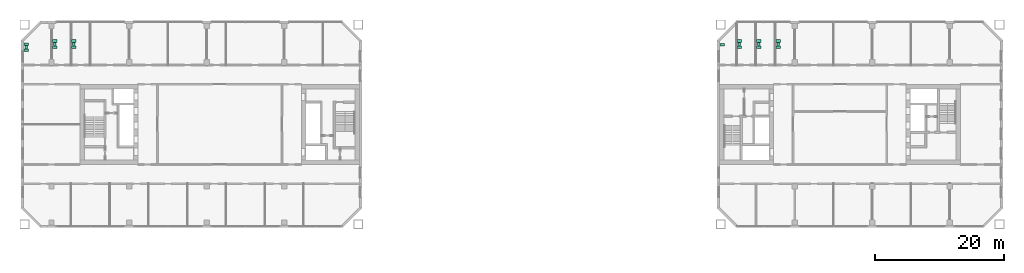
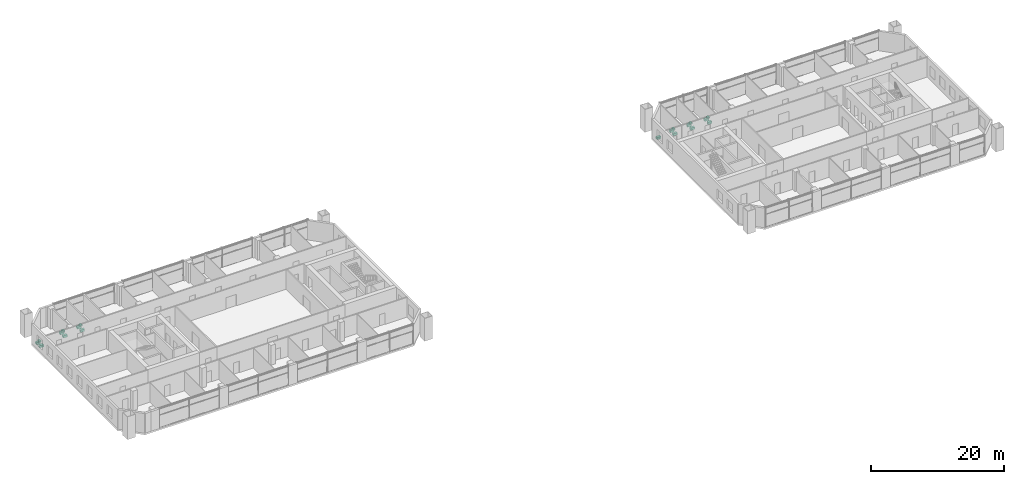
# One storey, part 19 of 19: 19 sanitary terminals.
"""IFC4 building model written with IfcOpenShell, lengths in metres."""

from ifc_helpers import new_model, si_unit, direction, frame, origin, origin_2d, place, context, subcontext, project, spatial, rectangle, extrude, element, save


model = new_model("IFC4")

# Units and contexts
model_context = context("Model", 3, precision=1e-05, world=origin(), true_north=direction((0.0, 1.0)))
body_context = subcontext(model_context, "Body", "Model", "MODEL_VIEW")
ifc_project = project(units=[si_unit("LENGTHUNIT", "METRE"), si_unit("AREAUNIT", "SQUARE_METRE"), si_unit("VOLUMEUNIT", "CUBIC_METRE"), si_unit("PLANEANGLEUNIT", "RADIAN"), si_unit("MASSUNIT", "GRAM", prefix="KILO")], contexts=[model_context])

# Site, building, storey
site_placement = place(None, origin())
site = spatial("IfcSite", under=ifc_project, at=site_placement, CompositionType="ELEMENT")
building_placement = place(site_placement, origin())
building = spatial("IfcBuilding", under=site, at=building_placement, Name="Tuart Gate Housing", CompositionType="ELEMENT")
storey_placement = place(building_placement, frame((0.0, 0.0, 67.39990234375)))
storey = spatial("IfcBuildingStorey", under=building, at=storey_placement, Name="L18", CompositionType="ELEMENT", Elevation=67.39990234375)

# Sanitary terminals
for number, where, z_axis, x_axis, name in (
    (1, (24.06005859375, 81.469970703125, 0.000244140625), (0.0, 0.0, 1.0), (1.0, 0.0, 0.0), "Water closet"),
    (2, (24.06005859375, 82.419921875, 0.000244140625), (0.0, 0.0, 1.0), (1.0, 0.0, 0.0), "Water closet"),
):
    element("IfcSanitaryTerminal", number, at=place(storey_placement, frame(where, z_axis=z_axis, x_axis=x_axis)), inside=storey, Name=name, PredefinedType="TOILETPAN", context=body_context, shape_type="SweptSolid", body=[
        extrude(rectangle(XDim=0.699951171875, YDim=0.39990234375, at=origin_2d()), origin(), (0.0, 0.0, 1.0), 0.39990234375),
    ])
sanitary_terminal_1_placement = place(storey_placement, frame((24.06005859375, 81.945068359375, 0.75), z_axis=(0.0, 0.0, 1.0), x_axis=(1.0, 0.0, 0.0)))
element("IfcSanitaryTerminal", 3, at=sanitary_terminal_1_placement, inside=storey, Name="Wash basin", PredefinedType="WASHHANDBASIN", context=body_context, shape_type="SweptSolid", body=[
    extrude(rectangle(XDim=0.39990234375, YDim=0.5, at=origin_2d()), origin(), (0.0, 0.0, 1.0), 0.199951171875),
])
for number, where, z_axis, x_axis, name in (
    (4, (28.449951171875, 81.945068359375, 0.000244140625), (0.0, 0.0, 1.0), (1.0, 0.0, 0.0), "Water closet"),
    (5, (28.449951171875, 82.89501953125, 0.000244140625), (0.0, 0.0, 1.0), (1.0, 0.0, 0.0), "Water closet"),
):
    element("IfcSanitaryTerminal", number, at=place(storey_placement, frame(where, z_axis=z_axis, x_axis=x_axis)), inside=storey, Name=name, PredefinedType="TOILETPAN", context=body_context, shape_type="SweptSolid", body=[
        extrude(rectangle(XDim=0.699951171875, YDim=0.39990234375, at=origin_2d()), origin(), (0.0, 0.0, 1.0), 0.39990234375),
    ])
sanitary_terminal_2_placement = place(storey_placement, frame((28.449951171875, 82.419921875, 0.75), z_axis=(0.0, 0.0, 1.0), x_axis=(1.0, 0.0, 0.0)))
element("IfcSanitaryTerminal", 6, at=sanitary_terminal_2_placement, inside=storey, Name="Wash basin", PredefinedType="WASHHANDBASIN", context=body_context, shape_type="SweptSolid", body=[
    extrude(rectangle(XDim=0.39990234375, YDim=0.5, at=origin_2d()), origin(), (0.0, 0.0, 1.0), 0.199951171875),
])
for number, where, z_axis, x_axis, name in (
    (7, (31.449951171875, 81.945068359375, 0.000244140625), (0.0, 0.0, 1.0), (1.0, 0.0, 0.0), "Water closet"),
    (8, (31.449951171875, 82.89501953125, 0.000244140625), (0.0, 0.0, 1.0), (1.0, 0.0, 0.0), "Water closet"),
):
    element("IfcSanitaryTerminal", number, at=place(storey_placement, frame(where, z_axis=z_axis, x_axis=x_axis)), inside=storey, Name=name, PredefinedType="TOILETPAN", context=body_context, shape_type="SweptSolid", body=[
        extrude(rectangle(XDim=0.699951171875, YDim=0.39990234375, at=origin_2d()), origin(), (0.0, 0.0, 1.0), 0.39990234375),
    ])
sanitary_terminal_3_placement = place(storey_placement, frame((31.449951171875, 82.419921875, 0.75), z_axis=(0.0, 0.0, 1.0), x_axis=(1.0, 0.0, 0.0)))
element("IfcSanitaryTerminal", 9, at=sanitary_terminal_3_placement, inside=storey, Name="Wash basin", PredefinedType="WASHHANDBASIN", context=body_context, shape_type="SweptSolid", body=[
    extrude(rectangle(XDim=0.39990234375, YDim=0.5, at=origin_2d()), origin(), (0.0, 0.0, 1.0), 0.199951171875),
])
for number, where, z_axis, x_axis, name in (
    (10, (131.81005859375, 82.345947265625, 0.000244140625), (0.0, 0.0, 1.0), (1.0, 0.0, 0.0), "Water closet"),
    (11, (134.449951171875, 81.945068359375, 0.000244140625), (0.0, 0.0, 1.0), (1.0, 0.0, 0.0), "Water closet"),
    (12, (134.449951171875, 82.89501953125, 0.000244140625), (0.0, 0.0, 1.0), (1.0, 0.0, 0.0), "Water closet"),
):
    element("IfcSanitaryTerminal", number, at=place(storey_placement, frame(where, z_axis=z_axis, x_axis=x_axis)), inside=storey, Name=name, PredefinedType="TOILETPAN", context=body_context, shape_type="SweptSolid", body=[
        extrude(rectangle(XDim=0.699951171875, YDim=0.39990234375, at=origin_2d()), origin(), (0.0, 0.0, 1.0), 0.39990234375),
    ])
sanitary_terminal_4_placement = place(storey_placement, frame((134.449951171875, 82.419921875, 0.75), z_axis=(0.0, 0.0, 1.0), x_axis=(1.0, 0.0, 0.0)))
element("IfcSanitaryTerminal", 13, at=sanitary_terminal_4_placement, inside=storey, Name="Wash basin", PredefinedType="WASHHANDBASIN", context=body_context, shape_type="SweptSolid", body=[
    extrude(rectangle(XDim=0.39990234375, YDim=0.5, at=origin_2d()), origin(), (0.0, 0.0, 1.0), 0.199951171875),
])
for number, where, z_axis, x_axis, name in (
    (14, (137.449951171875, 81.945068359375, 0.000244140625), (0.0, 0.0, 1.0), (1.0, 0.0, 0.0), "Water closet"),
    (15, (137.449951171875, 82.89501953125, 0.000244140625), (0.0, 0.0, 1.0), (1.0, 0.0, 0.0), "Water closet"),
):
    element("IfcSanitaryTerminal", number, at=place(storey_placement, frame(where, z_axis=z_axis, x_axis=x_axis)), inside=storey, Name=name, PredefinedType="TOILETPAN", context=body_context, shape_type="SweptSolid", body=[
        extrude(rectangle(XDim=0.699951171875, YDim=0.39990234375, at=origin_2d()), origin(), (0.0, 0.0, 1.0), 0.39990234375),
    ])
sanitary_terminal_5_placement = place(storey_placement, frame((137.449951171875, 82.419921875, 0.75), z_axis=(0.0, 0.0, 1.0), x_axis=(1.0, 0.0, 0.0)))
element("IfcSanitaryTerminal", 16, at=sanitary_terminal_5_placement, inside=storey, Name="Wash basin", PredefinedType="WASHHANDBASIN", context=body_context, shape_type="SweptSolid", body=[
    extrude(rectangle(XDim=0.39990234375, YDim=0.5, at=origin_2d()), origin(), (0.0, 0.0, 1.0), 0.199951171875),
])
for number, where, z_axis, x_axis, name in (
    (17, (140.449951171875, 81.945068359375, 0.000244140625), (0.0, 0.0, 1.0), (1.0, 0.0, 0.0), "Water closet"),
    (18, (140.449951171875, 82.89501953125, 0.000244140625), (0.0, 0.0, 1.0), (1.0, 0.0, 0.0), "Water closet"),
):
    element("IfcSanitaryTerminal", number, at=place(storey_placement, frame(where, z_axis=z_axis, x_axis=x_axis)), inside=storey, Name=name, PredefinedType="TOILETPAN", context=body_context, shape_type="SweptSolid", body=[
        extrude(rectangle(XDim=0.699951171875, YDim=0.39990234375, at=origin_2d()), origin(), (0.0, 0.0, 1.0), 0.39990234375),
    ])
sanitary_terminal_6_placement = place(storey_placement, frame((140.449951171875, 82.419921875, 0.75), z_axis=(0.0, 0.0, 1.0), x_axis=(1.0, 0.0, 0.0)))
element("IfcSanitaryTerminal", 19, at=sanitary_terminal_6_placement, inside=storey, Name="Wash basin", PredefinedType="WASHHANDBASIN", context=body_context, shape_type="SweptSolid", body=[
    extrude(rectangle(XDim=0.39990234375, YDim=0.5, at=origin_2d()), origin(), (0.0, 0.0, 1.0), 0.199951171875),
])

save(model, "model.ifc")
